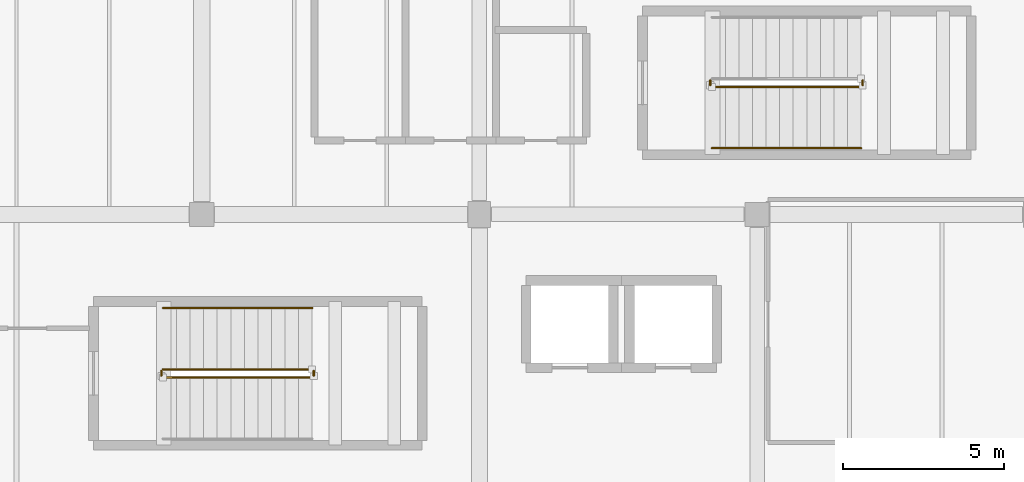
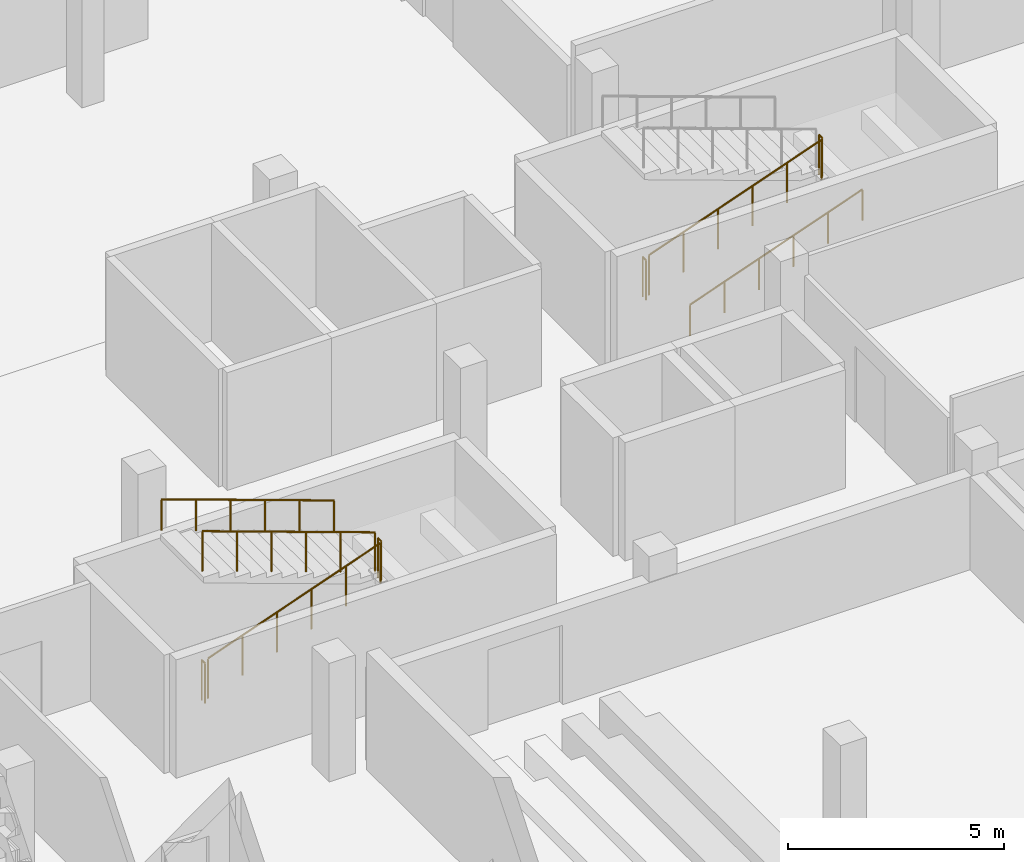
# One storey, part 86 of 93: 9 railings.
"""IFC4 building model written with IfcOpenShell, lengths in metres."""

from ifc_helpers import new_model, si_unit, direction, frame, origin, origin_2d, place, context, subcontext, project, spatial, circle, extrude, material, layer, layer_set, type_object, element, save


model = new_model("IFC4")

# Units and contexts
model_context = context("Model", 3, precision=1e-05, world=origin(), true_north=direction((0.0, 1.0)))
body_context = subcontext(model_context, "Body", "Model", "MODEL_VIEW")
ifc_project = project(units=[si_unit("LENGTHUNIT", "METRE"), si_unit("AREAUNIT", "SQUARE_METRE"), si_unit("VOLUMEUNIT", "CUBIC_METRE"), si_unit("PLANEANGLEUNIT", "RADIAN"), si_unit("MASSUNIT", "GRAM", prefix="KILO")], contexts=[model_context])

# Site, building, storey
site_placement = place(None, origin())
site = spatial("IfcSite", under=ifc_project, at=site_placement, CompositionType="ELEMENT")
building_placement = place(site_placement, origin())
building = spatial("IfcBuilding", under=site, at=building_placement, Name="Varnakota Cinema and Media Centre", CompositionType="ELEMENT")
storey_placement = place(building_placement, frame((0.0, 0.0, 12.0)))
storey = spatial("IfcBuildingStorey", under=building, at=storey_placement, Name="L03", CompositionType="ELEMENT", Elevation=12.0)

# Railings
ifc_material_1 = material(Name="Structural steel Grade 350 (E350)", Category="steel")
ifc_layer_1 = layer(ifc_material_1, 0.050048828125)
ifc_layer_set_1 = layer_set([ifc_layer_1], Name="Structural steel Grade 350 (E350)")
railing_type_1 = type_object("IfcRailingType", Name="RAIL-STAIR-GUARD-1150", PredefinedType="GUARDRAIL", material=ifc_layer_set_1)
railing_1_placement = place(storey_placement, frame((7.39990234375, 21.35009765625, 0.14990234375)))
element("IfcRailing", 1, at=railing_1_placement, inside=storey, type_object=railing_type_1, Name="L03 ST-01 stair guard 1", PredefinedType="GUARDRAIL", context=body_context, shape_type="SweptSolid", body=[
    extrude(circle(Radius=0.02392578125, at=origin_2d()), frame((0.0, 0.0, 1.1259765625), z_axis=(0.941735156102, 0.0, 0.336355311778), x_axis=(0.0, 1.0, 0.0)), (0.0, 0.0, 1.0), 4.906005859375),
    extrude(circle(Radius=0.02099609375, at=origin_2d()), origin(), (0.0, 0.0, 1.0), 1.101806640625),
    extrude(circle(Radius=0.02099609375, at=origin_2d()), frame((0.924072265625, 0.0, 0.330078125)), (0.0, 0.0, 1.0), 1.101806640625),
    extrude(circle(Radius=0.02099609375, at=origin_2d()), frame((1.84814453125, 0.0, 0.66015625)), (0.0, 0.0, 1.0), 1.101806640625),
    extrude(circle(Radius=0.02099609375, at=origin_2d()), frame((2.77197265625, 0.0, 0.989990234375)), (0.0, 0.0, 1.0), 1.101806640625),
    extrude(circle(Radius=0.02099609375, at=origin_2d()), frame((3.696044921875, 0.0, 1.320068359375)), (0.0, 0.0, 1.0), 1.101806640625),
    extrude(circle(Radius=0.02099609375, at=origin_2d()), frame((4.6201171875, 0.0, 1.650146484375)), (0.0, 0.0, 1.0), 1.101806640625),
])
railing_2_placement = place(storey_placement, frame((12.070068359375, 21.39990234375, 1.800048828125)))
element("IfcRailing", 2, at=railing_2_placement, inside=storey, type_object=railing_type_1, Name="L03 ST-01 stair guard 2", PredefinedType="GUARDRAIL", context=body_context, shape_type="SweptSolid", body=[
    extrude(circle(Radius=0.02392578125, at=origin_2d()), frame((0.0, 0.0, 1.1259765625), z_axis=(0.0, 1.0, 0.0), x_axis=(-1.0, 0.0, 0.0)), (0.0, 0.0, 1.0), 0.150146484375),
    extrude(circle(Radius=0.02099609375, at=origin_2d()), origin(), (0.0, 0.0, 1.0), 1.101806640625),
    extrude(circle(Radius=0.02099609375, at=origin_2d()), frame((0.0, 0.150146484375, 0.0)), (0.0, 0.0, 1.0), 1.101806640625),
])
railing_3_placement = place(storey_placement, frame((12.02001953125, 21.60009765625, 1.949951171875)))
element("IfcRailing", 3, at=railing_3_placement, inside=storey, type_object=railing_type_1, Name="L03 ST-01 stair guard 3", PredefinedType="GUARDRAIL", context=body_context, shape_type="SweptSolid", body=[
    extrude(circle(Radius=0.02392578125, at=origin_2d()), frame((0.0, 0.0, 1.1259765625), z_axis=(-0.941735156102, 0.0, 0.336355311778), x_axis=(0.0, -1.0, 0.0)), (0.0, 0.0, 1.0), 4.906005859375),
    extrude(circle(Radius=0.02099609375, at=origin_2d()), origin(), (0.0, 0.0, 1.0), 1.101806640625),
    extrude(circle(Radius=0.02099609375, at=origin_2d()), frame((-0.924072265625, 0.0, 0.330078125)), (0.0, 0.0, 1.0), 1.101806640625),
    extrude(circle(Radius=0.02099609375, at=origin_2d()), frame((-1.84814453125, 0.0, 0.66015625)), (0.0, 0.0, 1.0), 1.101806640625),
    extrude(circle(Radius=0.02099609375, at=origin_2d()), frame((-2.77197265625, 0.0, 0.989990234375)), (0.0, 0.0, 1.0), 1.101806640625),
    extrude(circle(Radius=0.02099609375, at=origin_2d()), frame((-3.696044921875, 0.0, 1.320068359375)), (0.0, 0.0, 1.0), 1.101806640625),
    extrude(circle(Radius=0.02099609375, at=origin_2d()), frame((-4.6201171875, 0.0, 1.650146484375)), (0.0, 0.0, 1.0), 1.101806640625),
])
railing_4_placement = place(storey_placement, frame((7.35009765625, 21.39990234375, 0.0)))
element("IfcRailing", 4, at=railing_4_placement, inside=storey, type_object=railing_type_1, Name="L03 ST-01 stair guard 4", PredefinedType="GUARDRAIL", context=body_context, shape_type="SweptSolid", body=[
    extrude(circle(Radius=0.02392578125, at=origin_2d()), frame((0.0, 0.0, 1.1259765625), z_axis=(0.0, 1.0, 0.0), x_axis=(-1.0, 0.0, 0.0)), (0.0, 0.0, 1.0), 0.150146484375),
    extrude(circle(Radius=0.02099609375, at=origin_2d()), origin(), (0.0, 0.0, 1.0), 1.101806640625),
    extrude(circle(Radius=0.02099609375, at=origin_2d()), frame((0.0, 0.150146484375, 0.0)), (0.0, 0.0, 1.0), 1.101806640625),
])
railing_5_placement = place(storey_placement, frame((24.39990234375, 30.35009765625, 0.14990234375)))
element("IfcRailing", 5, at=railing_5_placement, inside=storey, type_object=railing_type_1, Name="L03 ST-02 stair guard 1", PredefinedType="GUARDRAIL", context=body_context, shape_type="SweptSolid", body=[
    extrude(circle(Radius=0.02392578125, at=origin_2d()), frame((0.0, 0.0, 1.1259765625), z_axis=(0.941735156102, 0.0, 0.336355311778), x_axis=(0.0, 1.0, 0.0)), (0.0, 0.0, 1.0), 4.906005859375),
    extrude(circle(Radius=0.02099609375, at=origin_2d()), origin(), (0.0, 0.0, 1.0), 1.101806640625),
    extrude(circle(Radius=0.02099609375, at=origin_2d()), frame((0.924072265625, 0.0, 0.330078125)), (0.0, 0.0, 1.0), 1.101806640625),
    extrude(circle(Radius=0.02099609375, at=origin_2d()), frame((1.84814453125, 0.0, 0.66015625)), (0.0, 0.0, 1.0), 1.101806640625),
    extrude(circle(Radius=0.02099609375, at=origin_2d()), frame((2.77197265625, 0.0, 0.989990234375)), (0.0, 0.0, 1.0), 1.101806640625),
    extrude(circle(Radius=0.02099609375, at=origin_2d()), frame((3.696044921875, 0.0, 1.320068359375)), (0.0, 0.0, 1.0), 1.101806640625),
    extrude(circle(Radius=0.02099609375, at=origin_2d()), frame((4.6201171875, 0.0, 1.650146484375)), (0.0, 0.0, 1.0), 1.101806640625),
])
for number, where, name in (
    (6, (29.070068359375, 30.39990234375, 1.800048828125), "L03 ST-02 stair guard 2"),
    (7, (24.35009765625, 30.39990234375, 0.0), "L03 ST-02 stair guard 4"),
):
    element("IfcRailing", number, at=place(storey_placement, frame(where)), inside=storey, type_object=railing_type_1, Name=name, PredefinedType="GUARDRAIL", context=body_context, shape_type="SweptSolid", body=[
        extrude(circle(Radius=0.02392578125, at=origin_2d()), frame((0.0, 0.0, 1.1259765625), z_axis=(0.0, 1.0, 0.0), x_axis=(-1.0, 0.0, 0.0)), (0.0, 0.0, 1.0), 0.150146484375),
        extrude(circle(Radius=0.02099609375, at=origin_2d()), origin(), (0.0, 0.0, 1.0), 1.101806640625),
        extrude(circle(Radius=0.02099609375, at=origin_2d()), frame((0.0, 0.150146484375, 0.0)), (0.0, 0.0, 1.0), 1.101806640625),
    ])
ifc_material_2 = material(Name="Structural steel Grade 350 (E350)", Category="steel")
ifc_layer_2 = layer(ifc_material_2, 0.048095703125)
ifc_layer_set_2 = layer_set([ifc_layer_2], Name="Structural steel Grade 350 (E350)")
railing_type_2 = type_object("IfcRailingType", Name="RAIL-STAIR-HAND-900", PredefinedType="HANDRAIL", material=ifc_layer_set_2)
railing_6_placement = place(storey_placement, frame((12.02001953125, 23.5, 1.949951171875)))
element("IfcRailing", 8, at=railing_6_placement, inside=storey, type_object=railing_type_2, Name="L03 ST-01 stair handrail 2", PredefinedType="HANDRAIL", context=body_context, shape_type="SweptSolid", body=[
    extrude(circle(Radius=0.02392578125, at=origin_2d()), frame((0.0, 0.0, 0.8759765625), z_axis=(-0.941735156102, 0.0, 0.336355311778), x_axis=(0.0, -1.0, 0.0)), (0.0, 0.0, 1.0), 4.906005859375),
    extrude(circle(Radius=0.02099609375, at=origin_2d()), origin(), (0.0, 0.0, 1.0), 0.851806640625),
    extrude(circle(Radius=0.02099609375, at=origin_2d()), frame((-0.924072265625, 0.0, 0.330078125)), (0.0, 0.0, 1.0), 0.851806640625),
    extrude(circle(Radius=0.02099609375, at=origin_2d()), frame((-1.84814453125, 0.0, 0.66015625)), (0.0, 0.0, 1.0), 0.851806640625),
    extrude(circle(Radius=0.02099609375, at=origin_2d()), frame((-2.77197265625, 0.0, 0.989990234375)), (0.0, 0.0, 1.0), 0.851806640625),
    extrude(circle(Radius=0.02099609375, at=origin_2d()), frame((-3.696044921875, 0.0, 1.320068359375)), (0.0, 0.0, 1.0), 0.851806640625),
    extrude(circle(Radius=0.02099609375, at=origin_2d()), frame((-4.6201171875, 0.0, 1.650146484375)), (0.0, 0.0, 1.0), 0.851806640625),
])
railing_7_placement = place(storey_placement, frame((24.39990234375, 28.449951171875, 0.14990234375)))
element("IfcRailing", 9, at=railing_7_placement, inside=storey, type_object=railing_type_2, Name="L03 ST-02 stair handrail 1", PredefinedType="HANDRAIL", context=body_context, shape_type="SweptSolid", body=[
    extrude(circle(Radius=0.02392578125, at=origin_2d()), frame((0.0, 0.0, 0.8759765625), z_axis=(0.941735156102, 0.0, 0.336355311778), x_axis=(0.0, 1.0, 0.0)), (0.0, 0.0, 1.0), 4.906005859375),
    extrude(circle(Radius=0.02099609375, at=origin_2d()), origin(), (0.0, 0.0, 1.0), 0.851806640625),
    extrude(circle(Radius=0.02099609375, at=origin_2d()), frame((0.924072265625, 0.0, 0.330078125)), (0.0, 0.0, 1.0), 0.851806640625),
    extrude(circle(Radius=0.02099609375, at=origin_2d()), frame((1.84814453125, 0.0, 0.66015625)), (0.0, 0.0, 1.0), 0.851806640625),
    extrude(circle(Radius=0.02099609375, at=origin_2d()), frame((2.77197265625, 0.0, 0.989990234375)), (0.0, 0.0, 1.0), 0.851806640625),
    extrude(circle(Radius=0.02099609375, at=origin_2d()), frame((3.696044921875, 0.0, 1.320068359375)), (0.0, 0.0, 1.0), 0.851806640625),
    extrude(circle(Radius=0.02099609375, at=origin_2d()), frame((4.6201171875, 0.0, 1.650146484375)), (0.0, 0.0, 1.0), 0.851806640625),
])

save(model, "model.ifc")
